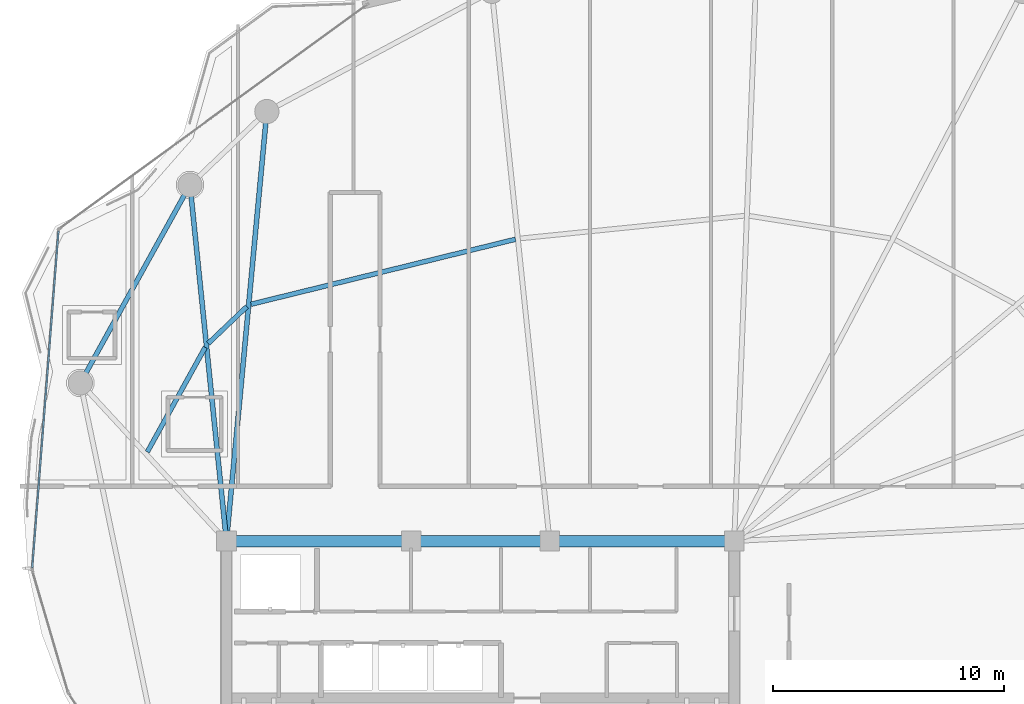
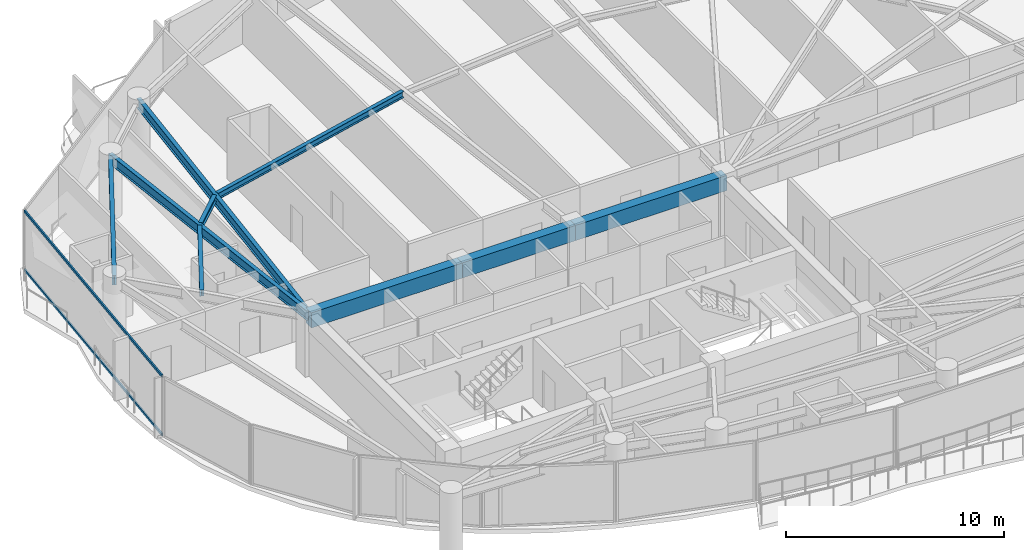
# One storey, part 9 of 31: 9 beams, 2 members, 1 element without a shape of its own.
"""IFC4 building model written with IfcOpenShell, lengths in metres."""

from ifc_helpers import new_model, si_unit, direction, frame, origin, origin_2d, place, context, subcontext, project, spatial, rectangle, hollow_rectangle, i_section, extrude, material, layer, layer_set, material_profile, profile_set, type_object, element, aggregate, save


model = new_model("IFC4")

# Units and contexts
model_context = context("Model", 3, precision=1e-05, world=origin(), true_north=direction((0.0, 1.0)))
body_context = subcontext(model_context, "Body", "Model", "MODEL_VIEW")
ifc_project = project(units=[si_unit("LENGTHUNIT", "METRE"), si_unit("AREAUNIT", "SQUARE_METRE"), si_unit("VOLUMEUNIT", "CUBIC_METRE"), si_unit("PLANEANGLEUNIT", "RADIAN"), si_unit("MASSUNIT", "GRAM", prefix="KILO")], contexts=[model_context])

# Site, building, storey
site_placement = place(None, origin())
site = spatial("IfcSite", under=ifc_project, at=site_placement, CompositionType="ELEMENT")
building_placement = place(site_placement, origin())
building = spatial("IfcBuilding", under=site, at=building_placement, Name="Kazevale Care Tower and Concert Hall", CompositionType="ELEMENT")
storey_placement = place(building_placement, frame((0.0, 0.0, 235.199951171875)))
storey = spatial("IfcBuildingStorey", under=building, at=storey_placement, Name="L62", CompositionType="ELEMENT", Elevation=235.199951171875)

# Curtain wall, members
ifc_material_1 = material(Name="Aluminium 6063-T6 and Low-E Glass", Category="aluminium")
ifc_layer = layer(ifc_material_1, 0.179931640625)
ifc_layer_set = layer_set([ifc_layer], Name="Aluminium 6063-T6 and Low-E Glass")
curtain_wall_type = type_object("IfcCurtainWallType", Name="Waist & Upper Residential Curtain Wall CW-4", PredefinedType="NOTDEFINED", material=ifc_layer_set)
curtain_wall_placement = place(storey_placement, origin())
curtain_wall = element("IfcCurtainWall", 1, at=curtain_wall_placement, inside=storey, type_object=curtain_wall_type, Name="cw:L62:f13", PredefinedType="NOTDEFINED")
ifc_material_2 = material(Name="Aluminium 6063-T6", Category="aluminium")
ifc_material_profile_1 = material_profile(ifc_material_2, hollow_rectangle(XDim=0.080078125, YDim=0.139892578125, WallThickness=0.00390625, at=origin_2d()), Name="ALU80x140x4")
ifc_profile_set_1 = profile_set([ifc_material_profile_1], Name="Aluminium 6063-T6")
member_type = type_object("IfcMemberType", Name="CW-4 Transom ALU80x140x4", PredefinedType="USERDEFINED", material=ifc_profile_set_1)
member_1_placement = place(storey_placement, frame((13.585205078125, 35.23681640625, 0.0400390625), z_axis=(0.077534740898, 0.996989650876, 0.0), x_axis=(-0.996989650876, 0.077534740898, 0.0)))
member_1 = element("IfcMember", 2, at=member_1_placement, type_object=member_type, Name="CW-4 transom 1.1", ObjectType="TRANSOM", PredefinedType="USERDEFINED", context=body_context, shape_type="SweptSolid", body=[
    extrude(hollow_rectangle(XDim=0.080078125, YDim=0.139892578125, WallThickness=0.00390625, at=origin_2d()), origin(), (0.0, 0.0, 1.0), 14.63232421875),
])
member_2_placement = place(storey_placement, frame((13.585205078125, 35.23681640625, 3.320068359375), z_axis=(0.077534740898, 0.996989650876, 0.0), x_axis=(-0.996989650876, 0.077534740898, 0.0)))
member_2 = element("IfcMember", 3, at=member_2_placement, type_object=member_type, Name="CW-4 transom 1.2", ObjectType="TRANSOM", PredefinedType="USERDEFINED", context=body_context, shape_type="SweptSolid", body=[
    extrude(hollow_rectangle(XDim=0.080078125, YDim=0.139892578125, WallThickness=0.00390625, at=origin_2d()), origin(), (0.0, 0.0, 1.0), 14.63232421875),
])
aggregate(curtain_wall, [member_1, member_2])

# Beams
ifc_material_3 = material(Name="Concrete C60", Category="concrete")
ifc_material_profile_2 = material_profile(ifc_material_3, rectangle(XDim=0.5, YDim=0.85009765625, at=origin_2d()), Name="RC-B500x850")
ifc_profile_set_2 = profile_set([ifc_material_profile_2], Name="Concrete C60")
beam_type_1 = type_object("IfcBeamType", Name="Core Coupling Beam RC500x850", PredefinedType="LINTEL", material=ifc_profile_set_2)
beam_1_placement = place(storey_placement, frame((44.0, 36.39990234375, 2.93505859375), z_axis=(-1.0, 0.0, 0.0), x_axis=(0.0, -1.0, 0.0)))
element("IfcBeam", 4, at=beam_1_placement, inside=storey, type_object=beam_type_1, Name="beam:L62:coretie:5", PredefinedType="LINTEL", context=body_context, shape_type="SweptSolid", body=[
    extrude(rectangle(XDim=0.5, YDim=0.85009765625, at=origin_2d()), origin(), (0.0, 0.0, 1.0), 8.0),
])
beam_2_placement = place(storey_placement, frame((36.0, 36.39990234375, 2.93505859375), z_axis=(-1.0, 0.0, 0.0), x_axis=(0.0, -1.0, 0.0)))
element("IfcBeam", 5, at=beam_2_placement, inside=storey, type_object=beam_type_1, Name="beam:L62:coretie:6", PredefinedType="LINTEL", context=body_context, shape_type="SweptSolid", body=[
    extrude(rectangle(XDim=0.5, YDim=0.85009765625, at=origin_2d()), origin(), (0.0, 0.0, 1.0), 6.0),
])
beam_3_placement = place(storey_placement, frame((30.0, 36.39990234375, 2.93505859375), z_axis=(-1.0, 0.0, 0.0), x_axis=(0.0, -1.0, 0.0)))
element("IfcBeam", 6, at=beam_3_placement, inside=storey, type_object=beam_type_1, Name="beam:L62:coretie:7", PredefinedType="LINTEL", context=body_context, shape_type="SweptSolid", body=[
    extrude(rectangle(XDim=0.5, YDim=0.85009765625, at=origin_2d()), origin(), (0.0, 0.0, 1.0), 8.0),
])
ifc_material_4 = material(Name="Steel ASTM A572 Gr 50", Category="steel")
ifc_material_profile_3 = material_profile(ifc_material_4, i_section(OverallWidth=0.2119140625, OverallDepth=0.5439453125, WebThickness=0.01318359375, FlangeThickness=0.021240234375, at=origin_2d()), Name="W530x123")
ifc_profile_set_3 = profile_set([ifc_material_profile_3], Name="Steel ASTM A572 Gr 50")
beam_type_2 = type_object("IfcBeamType", Name="Radial Floor Girder W530x123", PredefinedType="BEAM", material=ifc_profile_set_3)
beam_4_placement = place(storey_placement, frame((22.0, 36.39990234375, 3.088134765625), z_axis=(0.093621904075, 0.995607823933, 0.0), x_axis=(-0.995607823933, 0.093621904075, 0.0)))
element("IfcBeam", 7, at=beam_4_placement, inside=storey, type_object=beam_type_2, Name="beam:L62:rad:07", PredefinedType="BEAM", context=body_context, shape_type="SweptSolid", body=[
    extrude(i_section(OverallWidth=0.2119140625, OverallDepth=0.5439453125, WebThickness=0.01318359375, FlangeThickness=0.021240234375, at=origin_2d()), origin(), (0.0, 0.0, 1.0), 18.692138671875),
])
beam_5_placement = place(storey_placement, frame((22.0, 36.39990234375, 3.088134765625), z_axis=(-0.101869109083, 0.994797810922, 0.0), x_axis=(-0.994797810922, -0.101869109083, 0.0)))
element("IfcBeam", 8, at=beam_5_placement, inside=storey, type_object=beam_type_2, Name="beam:L62:rad:08", PredefinedType="BEAM", context=body_context, shape_type="SweptSolid", body=[
    extrude(i_section(OverallWidth=0.2119140625, OverallDepth=0.5439453125, WebThickness=0.01318359375, FlangeThickness=0.021240234375, at=origin_2d()), origin(), (0.0, 0.0, 1.0), 15.510986328125),
])
ifc_material_profile_4 = material_profile(ifc_material_4, i_section(OverallWidth=0.205078125, OverallDepth=0.35400390625, WebThickness=0.009521484375, FlangeThickness=0.016845703125, at=origin_2d()), Name="W360x79")
ifc_profile_set_4 = profile_set([ifc_material_profile_4], Name="Steel ASTM A572 Gr 50")
beam_type_3 = type_object("IfcBeamType", Name="Secondary Floor Joist W360x79", PredefinedType="JOIST", material=ifc_profile_set_4)
beam_6_placement = place(storey_placement, frame((34.52294921875, 49.47607421875, 3.18310546875), z_axis=(-0.971122715177, -0.238580535809, 0.0), x_axis=(0.238580535809, -0.971122715177, 0.0)))
element("IfcBeam", 9, at=beam_6_placement, inside=storey, type_object=beam_type_3, Name="beam:L62:joist:06", PredefinedType="JOIST", context=body_context, shape_type="SweptSolid", body=[
    extrude(i_section(OverallWidth=0.205078125, OverallDepth=0.35400390625, WebThickness=0.009521484375, FlangeThickness=0.016845703125, at=origin_2d()), origin(), (0.0, 0.0, 1.0), 11.7998046875),
])
beam_7_placement = place(storey_placement, frame((22.886962890625, 46.56298828125, 3.18310546875), z_axis=(-0.723262472539, -0.690573237114, 0.0), x_axis=(0.690573237114, -0.723262472539, 0.0)))
element("IfcBeam", 10, at=beam_7_placement, inside=storey, type_object=beam_type_3, Name="beam:L62:joist:07", PredefinedType="JOIST", context=body_context, shape_type="SweptSolid", body=[
    extrude(i_section(OverallWidth=0.205078125, OverallDepth=0.35400390625, WebThickness=0.009521484375, FlangeThickness=0.016845703125, at=origin_2d()), origin(), (0.0, 0.0, 1.0), 2.32275390625),
])
beam_8_placement = place(storey_placement, frame((21.080078125, 44.794921875, 3.18310546875), z_axis=(-0.484322963201, -0.874889288605, 0.0), x_axis=(0.874889288605, -0.484322963201, 0.0)))
element("IfcBeam", 11, at=beam_8_placement, inside=storey, type_object=beam_type_3, Name="beam:L62:joist:08", PredefinedType="JOIST", context=body_context, shape_type="SweptSolid", body=[
    extrude(i_section(OverallWidth=0.205078125, OverallDepth=0.35400390625, WebThickness=0.009521484375, FlangeThickness=0.016845703125, at=origin_2d()), origin(), (0.0, 0.0, 1.0), 5.1845703125),
])
ifc_material_profile_5 = material_profile(ifc_material_4, i_section(OverallWidth=0.208984375, OverallDepth=0.532958984375, WebThickness=0.01025390625, FlangeThickness=0.015625, at=origin_2d()), Name="W530x92")
ifc_profile_set_5 = profile_set([ifc_material_profile_5], Name="Steel ASTM A572 Gr 50")
beam_type_4 = type_object("IfcBeamType", Name="Upper Ring Beam W530x92", PredefinedType="BEAM", material=ifc_profile_set_5)
beam_9_placement = place(storey_placement, frame((20.419921875, 51.830078125, 3.093505859375), z_axis=(-0.484340382014, -0.874879645637, 0.0), x_axis=(0.874879645637, -0.484340382014, 0.0)))
element("IfcBeam", 12, at=beam_9_placement, inside=storey, type_object=beam_type_4, Name="beam:L62:ring:08", PredefinedType="BEAM", context=body_context, shape_type="SweptSolid", body=[
    extrude(i_section(OverallWidth=0.208984375, OverallDepth=0.532958984375, WebThickness=0.01025390625, FlangeThickness=0.015625, at=origin_2d()), origin(), (0.0, 0.0, 1.0), 9.80712890625),
])

save(model, "model.ifc")
